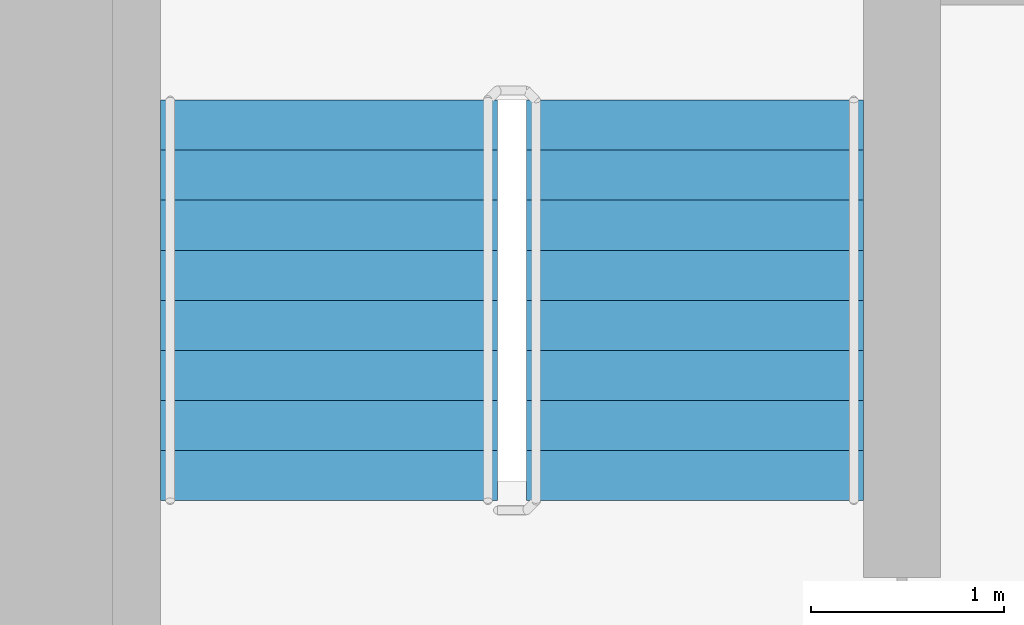
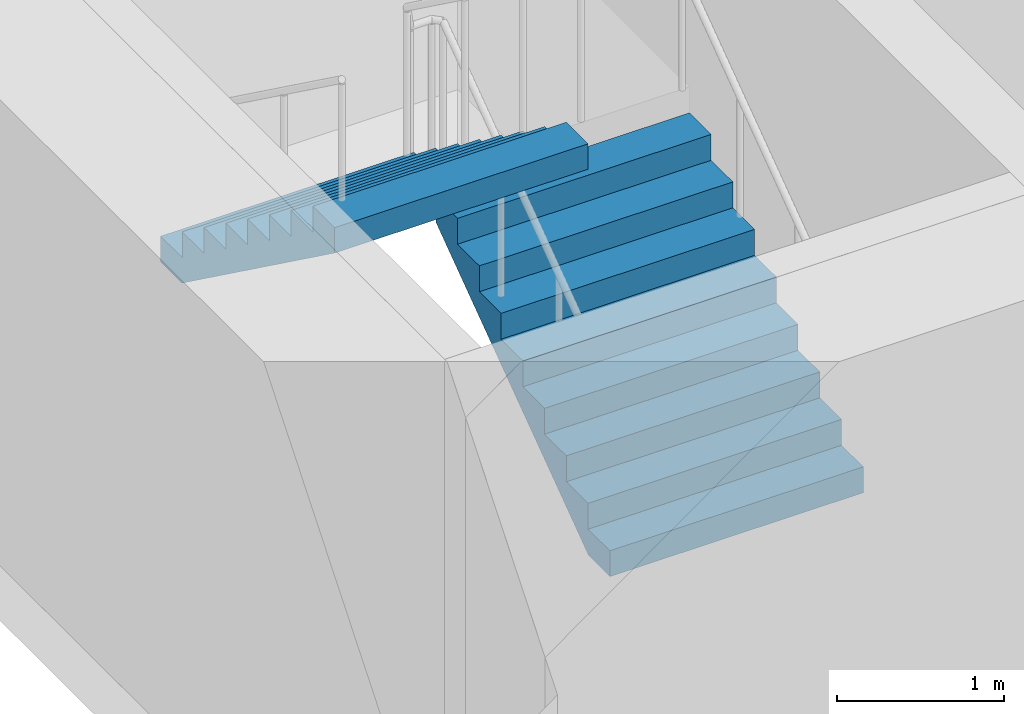
# One storey, part 17 of 21: 2 stair flights, 1 element without a shape of its own.
"""IFC4 building model written with IfcOpenShell, lengths in metres."""

import ifcopenshell
import ifcopenshell.guid

model = None  # the IFC model being written
_history = None  # IfcOwnerHistory: only IFC2X3 demands one
_inside = {}  # id of a spatial element -> (the spatial element, [elements in it])
_under = {}  # id of a project, library or spatial element -> (it, [spatial elements below it])
_declared = {}  # id of a project -> (the project, [libraries it declares])
_typed = {}  # id of a type object -> (the type object, [elements of that type])
_made_of = {}  # id of a material, layer set ... -> (it, [elements and type objects made of it])


def new_model(schema):
    """Start an empty IFC model of exactly this schema.

    Asked for "IFC4X3", IfcOpenShell would pick the latest addendum, in which some entities
    have other attributes; the version numbers below select the first issue.
    IFC2X3 requires an IfcOwnerHistory on every rooted entity: one is made here for all.
    """
    global model, _history
    if schema == "IFC4X3":
        model = ifcopenshell.file(schema_version=(4, 3, 0, 0))
    else:
        model = ifcopenshell.file(schema=schema)
    _inside.clear()
    _under.clear()
    _declared.clear()
    _typed.clear()
    _made_of.clear()
    _history = None
    if model.schema == "IFC2X3":
        org = make("IfcOrganization", Name="unknown")
        user = make(
            "IfcPersonAndOrganization",
            ThePerson=make("IfcPerson", FamilyName="unknown"),
            TheOrganization=org,
        )
        app = make(
            "IfcApplication",
            ApplicationDeveloper=org,
            Version="unknown",
            ApplicationFullName="unknown",
            ApplicationIdentifier="unknown",
        )
        _history = make(
            "IfcOwnerHistory",
            OwningUser=user,
            OwningApplication=app,
            ChangeAction="ADDED",
            CreationDate=0,
        )
    return model


def make(cls, **values):
    """One entity of the class cls with the attributes given. An attribute that is None is left unset."""
    return model.create_entity(
        cls, **{name: value for name, value in values.items() if value is not None}
    )


def rooted(cls, **values):
    """An entity with a GlobalId (a new one), such as an element, a storey or a relation."""
    return make(cls, GlobalId=ifcopenshell.guid.new(), OwnerHistory=_history, **values)


def si_unit(unit_type, name, prefix=None):
    """IfcSIUnit, for example si_unit("LENGTHUNIT", "METRE", prefix="MILLI")."""
    return make("IfcSIUnit", UnitType=unit_type, Prefix=prefix, Name=name)


def assignment(units):
    """IfcUnitAssignment: the units of a project."""
    return None if units is None else make("IfcUnitAssignment", Units=units)


def point(xyz):
    """IfcCartesianPoint."""
    return None if xyz is None else make("IfcCartesianPoint", Coordinates=xyz)


def direction(xyz):
    """IfcDirection."""
    return None if xyz is None else make("IfcDirection", DirectionRatios=xyz)


def frame(location, z_axis=None, x_axis=None):
    """IfcAxis2Placement3D, a coordinate frame: its origin and axes. An axis left out is left unset."""
    return make(
        "IfcAxis2Placement3D",
        Location=point(location),
        Axis=direction(z_axis),
        RefDirection=direction(x_axis),
    )


def origin():
    """The frame at (0, 0, 0) with its axes left unset."""
    return frame((0.0, 0.0, 0.0))


def place(relative_to, where):
    """IfcLocalPlacement: puts the frame where relative to a parent placement (None: the world)."""
    return make(
        "IfcLocalPlacement", PlacementRelTo=relative_to, RelativePlacement=where
    )


def context(
    kind, dimensions, precision=None, world=None, true_north=None, identifier=None
):
    """IfcGeometricRepresentationContext, for example the 3D "Model" context."""
    return make(
        "IfcGeometricRepresentationContext",
        ContextIdentifier=identifier,
        ContextType=kind,
        CoordinateSpaceDimension=dimensions,
        Precision=precision,
        WorldCoordinateSystem=world,
        TrueNorth=true_north,
    )


def subcontext(parent, identifier, kind, view, scale=None):
    """IfcGeometricRepresentationSubContext, for example "Body" below "Model"."""
    return make(
        "IfcGeometricRepresentationSubContext",
        ContextIdentifier=identifier,
        ContextType=kind,
        ParentContext=parent,
        TargetScale=scale,
        TargetView=view,
    )


def project(units=None, contexts=None):
    """IfcProject with its units and contexts."""
    return rooted(
        "IfcProject",
        Name="project",
        RepresentationContexts=contexts,
        UnitsInContext=assignment(units),
    )


def spatial(cls, under=None, at=None, **own):
    """A site, building, storey or space (cls), placed at a placement, below another one or the project."""
    s = rooted(cls, ObjectPlacement=at, **own)
    if under is not None:
        _under.setdefault(under.id(), (under, []))[1].append(s)
    return s


def faces_of(points, faces, orient=None, outer=None):
    """IfcFace entities. A face is a list of loops; a loop is a list of indices into points, from 0.

    orient and outer hold one flag for each loop. By default every Orientation is true, the
    first loop of a face is its IfcFaceOuterBound and the others are IfcFaceBound.
    """
    made = []
    for i, loops in enumerate(faces):
        bounds = []
        for j, loop in enumerate(loops):
            is_outer = j == 0 if outer is None else outer[i][j]
            bounds.append(
                make(
                    "IfcFaceOuterBound" if is_outer else "IfcFaceBound",
                    Bound=make("IfcPolyLoop", Polygon=[points[k] for k in loop]),
                    Orientation=True if orient is None else orient[i][j],
                )
            )
        made.append(make("IfcFace", Bounds=bounds))
    return made


def faceted_brep(points, faces, orient=None, outer=None, voids=None):
    """IfcFacetedBrep: a solid bounded by flat faces; with voids (closed shells), ...WithVoids."""
    shared = [point(p) for p in points]
    hull = make("IfcClosedShell", CfsFaces=faces_of(shared, faces, orient, outer))
    if voids is None:
        return make("IfcFacetedBrep", Outer=hull)
    return make(
        "IfcFacetedBrepWithVoids",
        Outer=hull,
        Voids=[
            make(cls, CfsFaces=faces_of(shared, fs, o, b)) for cls, fs, o, b in voids
        ],
    )


def shape(context_of_items, identifier, shape_type, items):
    """IfcShapeRepresentation: the items that make up one representation, for example the "Body"."""
    return make(
        "IfcShapeRepresentation",
        ContextOfItems=context_of_items,
        RepresentationIdentifier=identifier,
        RepresentationType=shape_type,
        Items=items,
    )


def material(Name=None, Category=None):
    """IfcMaterial."""
    return make("IfcMaterial", Name=Name, Category=Category)


def made_of(thing, what):
    """Note that an element or type object is made of a material, layer set ...; save() writes the relation."""
    if what is not None:
        _made_of.setdefault(what.id(), (what, []))[1].append(thing)
    return thing


def type_object(cls, material=None, **own):
    """A type object (cls), such as IfcWallType, which elements share."""
    return made_of(rooted(cls, **own), material)


def element(
    cls,
    number,
    at=None,
    inside=None,
    cuts=None,
    type_object=None,
    material=None,
    context=None,
    identifier="Body",
    shape_type=None,
    held_by="IfcProductDefinitionShape",
    body=None,
    shapes=None,
    **own,
):
    """One element of the class cls, such as IfcWall. Its Tag is "e" and its number.

    at: its placement. inside: the storey or other place that contains it. cuts: it is an
    opening in that element (IfcRelVoidsElement). A single representation is given by context,
    identifier, shape_type and body (its items); several are given by shapes. held_by: the class
    of the entity that holds the representations. save() writes the other relations.
    """
    e = rooted(cls, Tag="e%d" % number, ObjectPlacement=at, **own)
    if body is not None:
        shapes = [shape(context, identifier, shape_type, body)]
    if shapes is not None:
        e.Representation = make(held_by, Representations=shapes)
    if inside is not None:
        _inside.setdefault(inside.id(), (inside, []))[1].append(e)
    if cuts is not None:
        rooted(
            "IfcRelVoidsElement", RelatingBuildingElement=cuts, RelatedOpeningElement=e
        )
    if type_object is not None:
        _typed.setdefault(type_object.id(), (type_object, []))[1].append(e)
    return made_of(e, material)


def aggregate(whole, parts):
    """IfcRelAggregates: a whole, such as a stair, and the parts it consists of."""
    return rooted("IfcRelAggregates", RelatingObject=whole, RelatedObjects=parts)


def save(model, path):
    """Write the relations noted so far, then the file.

    IfcRelAggregates (storeys below a building ...), IfcRelContainedInSpatialStructure (elements
    in a storey), IfcRelDefinesByType, IfcRelAssociatesMaterial and IfcRelDeclares: one each for
    every whole, place, type object, material and project.
    """
    for whole, parts in _under.values():
        aggregate(whole, parts)
    for where, things in _inside.values():
        rooted(
            "IfcRelContainedInSpatialStructure",
            RelatedElements=things,
            RelatingStructure=where,
        )
    for kind, things in _typed.values():
        rooted("IfcRelDefinesByType", RelatedObjects=things, RelatingType=kind)
    for what, things in _made_of.values():
        rooted("IfcRelAssociatesMaterial", RelatedObjects=things, RelatingMaterial=what)
    for by, libraries in _declared.values():
        rooted("IfcRelDeclares", RelatingContext=by, RelatedDefinitions=libraries)
    model.write(path)


model = new_model("IFC4")

# Units and contexts
model_context = context("Model", 3, precision=1e-05, world=origin(), true_north=direction((0.0, 1.0)))
body_context = subcontext(model_context, "Body", "Model", "MODEL_VIEW")
ifc_project = project(units=[si_unit("LENGTHUNIT", "METRE"), si_unit("AREAUNIT", "SQUARE_METRE"), si_unit("VOLUMEUNIT", "CUBIC_METRE"), si_unit("PLANEANGLEUNIT", "RADIAN"), si_unit("MASSUNIT", "GRAM", prefix="KILO")], contexts=[model_context])

# Site, building, storey
site_placement = place(None, origin())
site = spatial("IfcSite", under=ifc_project, at=site_placement, CompositionType="ELEMENT")
building_placement = place(site_placement, origin())
building = spatial("IfcBuilding", under=site, at=building_placement, Name="Ipe Terrace Towers", CompositionType="ELEMENT")
storey_placement = place(building_placement, frame((0.0, 0.0, 83.39990234375)))
storey = spatial("IfcBuildingStorey", under=building, at=storey_placement, Name="L22", CompositionType="ELEMENT", Elevation=83.39990234375)

# Stair, stair flights
ifc_material_1 = material(Name="Concrete C30/37", Category="concrete")
stair_type = type_object("IfcStairType", Name="Protected exit stair", PredefinedType="HALF_TURN_STAIR", material=ifc_material_1)
stair_placement = place(storey_placement, origin())
stair = element("IfcStair", 1, at=stair_placement, inside=storey, type_object=stair_type, Name="L22 Exit stair T2-C1", PredefinedType="HALF_TURN_STAIR")
ifc_material_2 = material(Name="Concrete C30/37", Category="concrete")
stair_flight_type = type_object("IfcStairFlightType", Name="Exit stair flight 1750", PredefinedType="STRAIGHT", material=ifc_material_2)
stair_flight_1_placement = place(storey_placement, frame((33.22509765625, 9.699951171875, 0.0), z_axis=(0.0, 0.0, 1.0), x_axis=(0.0, 1.0, 0.0)))
stair_flight_1 = element("IfcStairFlight", 2, at=stair_flight_1_placement, type_object=stair_flight_type, Name="T2-ST1 flight 1", NumberOfRisers=9, NumberOfTreads=8, PredefinedType="STRAIGHT", RiserHeight=0.188888889, TreadLength=0.26, context=body_context, shape_type="Brep", body=[
    faceted_brep([(0.255126953125, -0.875, 0.0), (2.080078125, -0.875, 1.325927734375), (2.080078125, -0.875, 1.51123046875), (1.820068359375, -0.875, 1.51123046875), (1.820068359375, -0.875, 1.322265625), (1.56005859375, -0.875, 1.322265625), (1.56005859375, -0.875, 1.13330078125), (1.300048828125, -0.875, 1.13330078125), (1.300048828125, -0.875, 0.9443359375), (1.0400390625, -0.875, 0.9443359375), (1.0400390625, -0.875, 0.755615234375), (0.780029296875, -0.875, 0.755615234375), (0.780029296875, -0.875, 0.566650390625), (0.52001953125, -0.875, 0.566650390625), (0.52001953125, -0.875, 0.377685546875), (0.260009765625, -0.875, 0.377685546875), (0.260009765625, -0.875, 0.18896484375), (0.0, -0.875, 0.18896484375), (0.0, -0.875, 0.0), (0.0, 0.875, 0.0), (0.0, 0.875, 0.18896484375), (0.260009765625, 0.875, 0.18896484375), (0.260009765625, 0.875, 0.377685546875), (0.52001953125, 0.875, 0.377685546875), (0.52001953125, 0.875, 0.566650390625), (0.780029296875, 0.875, 0.566650390625), (0.780029296875, 0.875, 0.755615234375), (1.0400390625, 0.875, 0.755615234375), (1.0400390625, 0.875, 0.9443359375), (1.300048828125, 0.875, 0.9443359375), (1.300048828125, 0.875, 1.13330078125), (1.56005859375, 0.875, 1.13330078125), (1.56005859375, 0.875, 1.322265625), (1.820068359375, 0.875, 1.322265625), (1.820068359375, 0.875, 1.51123046875), (2.080078125, 0.875, 1.51123046875), (2.080078125, 0.875, 1.325927734375), (0.255126953125, 0.875, 0.0), (0.0, -0.300048828125, 0.18896484375), (0.0, -0.1201171875, 0.18896484375), (0.0, -0.06005859375, 0.18896484375), (0.0, -0.030029296875, 0.18896484375), (0.0, -0.010009765625, 0.18896484375), (0.0, 0.0, 0.18896484375), (0.0, 0.010009765625, 0.18896484375), (0.0, 0.030029296875, 0.18896484375), (0.0, 0.06005859375, 0.18896484375), (0.0, 0.1201171875, 0.18896484375), (0.0, 0.300048828125, 0.18896484375), (0.0, 0.300048828125, 0.0), (0.0, 0.1201171875, 0.0), (0.0, 0.06005859375, 0.0), (0.0, 0.030029296875, 0.0), (0.0, 0.010009765625, 0.0), (0.0, 0.0, 0.0), (0.0, -0.010009765625, 0.0), (0.0, -0.030029296875, 0.0), (0.0, -0.06005859375, 0.0), (0.0, -0.1201171875, 0.0), (0.0, -0.300048828125, 0.0), (0.260009765625, -0.300048828125, 0.18896484375), (0.260009765625, -0.1201171875, 0.18896484375), (0.260009765625, -0.06005859375, 0.18896484375), (0.260009765625, -0.030029296875, 0.18896484375), (0.260009765625, -0.010009765625, 0.18896484375), (0.260009765625, 0.0, 0.18896484375), (0.260009765625, 0.010009765625, 0.18896484375), (0.260009765625, 0.030029296875, 0.18896484375), (0.260009765625, 0.06005859375, 0.18896484375), (0.260009765625, 0.1201171875, 0.18896484375), (0.260009765625, 0.300048828125, 0.18896484375), (0.260009765625, -0.300048828125, 0.377685546875), (0.260009765625, -0.1201171875, 0.377685546875), (0.260009765625, -0.06005859375, 0.377685546875), (0.260009765625, -0.030029296875, 0.377685546875), (0.260009765625, -0.010009765625, 0.377685546875), (0.260009765625, 0.0, 0.377685546875), (0.260009765625, 0.010009765625, 0.377685546875), (0.260009765625, 0.030029296875, 0.377685546875), (0.260009765625, 0.06005859375, 0.377685546875), (0.260009765625, 0.1201171875, 0.377685546875), (0.260009765625, 0.300048828125, 0.377685546875), (0.52001953125, -0.300048828125, 0.377685546875), (0.52001953125, -0.1201171875, 0.377685546875), (0.52001953125, -0.06005859375, 0.377685546875), (0.52001953125, -0.030029296875, 0.377685546875), (0.52001953125, -0.010009765625, 0.377685546875), (0.52001953125, 0.0, 0.377685546875), (0.52001953125, 0.010009765625, 0.377685546875), (0.52001953125, 0.030029296875, 0.377685546875), (0.52001953125, 0.06005859375, 0.377685546875), (0.52001953125, 0.1201171875, 0.377685546875), (0.52001953125, 0.300048828125, 0.377685546875), (0.52001953125, -0.300048828125, 0.566650390625), (0.52001953125, -0.1201171875, 0.566650390625), (0.52001953125, -0.06005859375, 0.566650390625), (0.52001953125, -0.030029296875, 0.566650390625), (0.52001953125, -0.010009765625, 0.566650390625), (0.52001953125, 0.0, 0.566650390625), (0.52001953125, 0.010009765625, 0.566650390625), (0.52001953125, 0.030029296875, 0.566650390625), (0.52001953125, 0.06005859375, 0.566650390625), (0.52001953125, 0.1201171875, 0.566650390625), (0.52001953125, 0.300048828125, 0.566650390625), (0.780029296875, -0.300048828125, 0.566650390625), (0.780029296875, -0.1201171875, 0.566650390625), (0.780029296875, -0.06005859375, 0.566650390625), (0.780029296875, -0.030029296875, 0.566650390625), (0.780029296875, -0.010009765625, 0.566650390625), (0.780029296875, 0.0, 0.566650390625), (0.780029296875, 0.010009765625, 0.566650390625), (0.780029296875, 0.030029296875, 0.566650390625), (0.780029296875, 0.06005859375, 0.566650390625), (0.780029296875, 0.1201171875, 0.566650390625), (0.780029296875, 0.300048828125, 0.566650390625), (0.780029296875, -0.300048828125, 0.755615234375), (0.780029296875, -0.1201171875, 0.755615234375), (0.780029296875, -0.06005859375, 0.755615234375), (0.780029296875, -0.030029296875, 0.755615234375), (0.780029296875, -0.010009765625, 0.755615234375), (0.780029296875, 0.0, 0.755615234375), (0.780029296875, 0.010009765625, 0.755615234375), (0.780029296875, 0.030029296875, 0.755615234375), (0.780029296875, 0.06005859375, 0.755615234375), (0.780029296875, 0.1201171875, 0.755615234375), (0.780029296875, 0.300048828125, 0.755615234375), (1.0400390625, -0.300048828125, 0.755615234375), (1.0400390625, -0.1201171875, 0.755615234375), (1.0400390625, -0.06005859375, 0.755615234375), (1.0400390625, -0.030029296875, 0.755615234375), (1.0400390625, -0.010009765625, 0.755615234375), (1.0400390625, 0.0, 0.755615234375), (1.0400390625, 0.010009765625, 0.755615234375), (1.0400390625, 0.030029296875, 0.755615234375), (1.0400390625, 0.06005859375, 0.755615234375), (1.0400390625, 0.1201171875, 0.755615234375), (1.0400390625, 0.300048828125, 0.755615234375), (1.0400390625, -0.300048828125, 0.9443359375), (1.0400390625, -0.1201171875, 0.9443359375), (1.0400390625, -0.06005859375, 0.9443359375), (1.0400390625, -0.030029296875, 0.9443359375), (1.0400390625, -0.010009765625, 0.9443359375), (1.0400390625, 0.0, 0.9443359375), (1.0400390625, 0.010009765625, 0.9443359375), (1.0400390625, 0.030029296875, 0.9443359375), (1.0400390625, 0.06005859375, 0.9443359375), (1.0400390625, 0.1201171875, 0.9443359375), (1.0400390625, 0.300048828125, 0.9443359375), (1.300048828125, -0.300048828125, 0.9443359375), (1.300048828125, -0.1201171875, 0.9443359375), (1.300048828125, -0.06005859375, 0.9443359375), (1.300048828125, -0.030029296875, 0.9443359375), (1.300048828125, -0.010009765625, 0.9443359375), (1.300048828125, 0.0, 0.9443359375), (1.300048828125, 0.010009765625, 0.9443359375), (1.300048828125, 0.030029296875, 0.9443359375), (1.300048828125, 0.06005859375, 0.9443359375), (1.300048828125, 0.1201171875, 0.9443359375), (1.300048828125, 0.300048828125, 0.9443359375), (1.300048828125, -0.300048828125, 1.13330078125), (1.300048828125, -0.1201171875, 1.13330078125), (1.300048828125, -0.06005859375, 1.13330078125), (1.300048828125, -0.030029296875, 1.13330078125), (1.300048828125, -0.010009765625, 1.13330078125), (1.300048828125, 0.0, 1.13330078125), (1.300048828125, 0.010009765625, 1.13330078125), (1.300048828125, 0.030029296875, 1.13330078125), (1.300048828125, 0.06005859375, 1.13330078125), (1.300048828125, 0.1201171875, 1.13330078125), (1.300048828125, 0.300048828125, 1.13330078125), (1.56005859375, -0.300048828125, 1.13330078125), (1.56005859375, -0.1201171875, 1.13330078125), (1.56005859375, -0.06005859375, 1.13330078125), (1.56005859375, -0.030029296875, 1.13330078125), (1.56005859375, -0.010009765625, 1.13330078125), (1.56005859375, 0.0, 1.13330078125), (1.56005859375, 0.010009765625, 1.13330078125), (1.56005859375, 0.030029296875, 1.13330078125), (1.56005859375, 0.06005859375, 1.13330078125), (1.56005859375, 0.1201171875, 1.13330078125), (1.56005859375, 0.300048828125, 1.13330078125), (1.56005859375, -0.300048828125, 1.322265625), (1.56005859375, -0.1201171875, 1.322265625), (1.56005859375, -0.06005859375, 1.322265625), (1.56005859375, -0.030029296875, 1.322265625), (1.56005859375, -0.010009765625, 1.322265625), (1.56005859375, 0.0, 1.322265625), (1.56005859375, 0.010009765625, 1.322265625), (1.56005859375, 0.030029296875, 1.322265625), (1.56005859375, 0.06005859375, 1.322265625), (1.56005859375, 0.1201171875, 1.322265625), (1.56005859375, 0.300048828125, 1.322265625), (1.820068359375, -0.300048828125, 1.322265625), (1.820068359375, -0.1201171875, 1.322265625), (1.820068359375, -0.06005859375, 1.322265625), (1.820068359375, -0.030029296875, 1.322265625), (1.820068359375, -0.010009765625, 1.322265625), (1.820068359375, 0.0, 1.322265625), (1.820068359375, 0.010009765625, 1.322265625), (1.820068359375, 0.030029296875, 1.322265625), (1.820068359375, 0.06005859375, 1.322265625), (1.820068359375, 0.1201171875, 1.322265625), (1.820068359375, 0.300048828125, 1.322265625), (1.820068359375, -0.300048828125, 1.51123046875), (1.820068359375, -0.1201171875, 1.51123046875), (1.820068359375, -0.06005859375, 1.51123046875), (1.820068359375, -0.030029296875, 1.51123046875), (1.820068359375, -0.010009765625, 1.51123046875), (1.820068359375, 0.0, 1.51123046875), (1.820068359375, 0.010009765625, 1.51123046875), (1.820068359375, 0.030029296875, 1.51123046875), (1.820068359375, 0.06005859375, 1.51123046875), (1.820068359375, 0.1201171875, 1.51123046875), (1.820068359375, 0.300048828125, 1.51123046875), (2.080078125, -0.300048828125, 1.51123046875), (2.080078125, -0.1201171875, 1.51123046875), (2.080078125, -0.06005859375, 1.51123046875), (2.080078125, -0.030029296875, 1.51123046875), (2.080078125, -0.010009765625, 1.51123046875), (2.080078125, 0.0, 1.51123046875), (2.080078125, 0.010009765625, 1.51123046875), (2.080078125, 0.030029296875, 1.51123046875), (2.080078125, 0.06005859375, 1.51123046875), (2.080078125, 0.1201171875, 1.51123046875), (2.080078125, 0.300048828125, 1.51123046875), (2.080078125, -0.300048828125, 1.325927734375), (2.080078125, -0.1201171875, 1.325927734375), (2.080078125, -0.06005859375, 1.325927734375), (2.080078125, -0.030029296875, 1.325927734375), (2.080078125, -0.010009765625, 1.325927734375), (2.080078125, 0.0, 1.325927734375), (2.080078125, 0.010009765625, 1.325927734375), (2.080078125, 0.030029296875, 1.325927734375), (2.080078125, 0.06005859375, 1.325927734375), (2.080078125, 0.1201171875, 1.325927734375), (2.080078125, 0.300048828125, 1.325927734375), (0.255126953125, -0.300048828125, 0.0), (0.255126953125, -0.1201171875, 0.0), (0.255126953125, -0.06005859375, 0.0), (0.255126953125, -0.030029296875, 0.0), (0.255126953125, -0.010009765625, 0.0), (0.255126953125, 0.0, 0.0), (0.255126953125, 0.010009765625, 0.0), (0.255126953125, 0.030029296875, 0.0), (0.255126953125, 0.06005859375, 0.0), (0.255126953125, 0.1201171875, 0.0), (0.255126953125, 0.300048828125, 0.0)], [[[0, 1, 2, 3, 4, 5, 6, 7, 8, 9, 10, 11, 12, 13, 14, 15, 16, 17, 18]], [[19, 20, 21, 22, 23, 24, 25, 26, 27, 28, 29, 30, 31, 32, 33, 34, 35, 36, 37]], [[17, 38, 39, 40, 41, 42, 43, 44, 45, 46, 47, 48, 20, 19, 49, 50, 51, 52, 53, 54, 55, 56, 57, 58, 59, 18]], [[16, 60, 61, 62, 63, 64, 65, 66, 67, 68, 69, 70, 21, 20, 48, 47, 46, 45, 44, 43, 42, 41, 40, 39, 38, 17]], [[15, 71, 72, 73, 74, 75, 76, 77, 78, 79, 80, 81, 22, 21, 70, 69, 68, 67, 66, 65, 64, 63, 62, 61, 60, 16]], [[14, 82, 83, 84, 85, 86, 87, 88, 89, 90, 91, 92, 23, 22, 81, 80, 79, 78, 77, 76, 75, 74, 73, 72, 71, 15]], [[13, 93, 94, 95, 96, 97, 98, 99, 100, 101, 102, 103, 24, 23, 92, 91, 90, 89, 88, 87, 86, 85, 84, 83, 82, 14]], [[12, 104, 105, 106, 107, 108, 109, 110, 111, 112, 113, 114, 25, 24, 103, 102, 101, 100, 99, 98, 97, 96, 95, 94, 93, 13]], [[11, 115, 116, 117, 118, 119, 120, 121, 122, 123, 124, 125, 26, 25, 114, 113, 112, 111, 110, 109, 108, 107, 106, 105, 104, 12]], [[10, 126, 127, 128, 129, 130, 131, 132, 133, 134, 135, 136, 27, 26, 125, 124, 123, 122, 121, 120, 119, 118, 117, 116, 115, 11]], [[9, 137, 138, 139, 140, 141, 142, 143, 144, 145, 146, 147, 28, 27, 136, 135, 134, 133, 132, 131, 130, 129, 128, 127, 126, 10]], [[8, 148, 149, 150, 151, 152, 153, 154, 155, 156, 157, 158, 29, 28, 147, 146, 145, 144, 143, 142, 141, 140, 139, 138, 137, 9]], [[7, 159, 160, 161, 162, 163, 164, 165, 166, 167, 168, 169, 30, 29, 158, 157, 156, 155, 154, 153, 152, 151, 150, 149, 148, 8]], [[6, 170, 171, 172, 173, 174, 175, 176, 177, 178, 179, 180, 31, 30, 169, 168, 167, 166, 165, 164, 163, 162, 161, 160, 159, 7]], [[5, 181, 182, 183, 184, 185, 186, 187, 188, 189, 190, 191, 32, 31, 180, 179, 178, 177, 176, 175, 174, 173, 172, 171, 170, 6]], [[4, 192, 193, 194, 195, 196, 197, 198, 199, 200, 201, 202, 33, 32, 191, 190, 189, 188, 187, 186, 185, 184, 183, 182, 181, 5]], [[3, 203, 204, 205, 206, 207, 208, 209, 210, 211, 212, 213, 34, 33, 202, 201, 200, 199, 198, 197, 196, 195, 194, 193, 192, 4]], [[2, 214, 215, 216, 217, 218, 219, 220, 221, 222, 223, 224, 35, 34, 213, 212, 211, 210, 209, 208, 207, 206, 205, 204, 203, 3]], [[1, 225, 226, 227, 228, 229, 230, 231, 232, 233, 234, 235, 36, 35, 224, 223, 222, 221, 220, 219, 218, 217, 216, 215, 214, 2]], [[0, 236, 237, 238, 239, 240, 241, 242, 243, 244, 245, 246, 37, 36, 235, 234, 233, 232, 231, 230, 229, 228, 227, 226, 225, 1]], [[18, 59, 58, 57, 56, 55, 54, 53, 52, 51, 50, 49, 19, 37, 246, 245, 244, 243, 242, 241, 240, 239, 238, 237, 236, 0]]]),
])
stair_flight_2_placement = place(storey_placement, frame((31.324951171875, 11.780029296875, 1.7001953125), z_axis=(0.0, 0.0, 1.0), x_axis=(0.0, -1.0, 0.0)))
stair_flight_2 = element("IfcStairFlight", 3, at=stair_flight_2_placement, type_object=stair_flight_type, Name="T2-ST1 flight 2", NumberOfRisers=9, NumberOfTreads=8, PredefinedType="STRAIGHT", RiserHeight=0.188888889, TreadLength=0.26, context=body_context, shape_type="Brep", body=[
    faceted_brep([(0.255126953125, -0.875, 0.0), (2.080078125, -0.875, 1.325927734375), (2.080078125, -0.875, 1.51123046875), (1.820068359375, -0.875, 1.51123046875), (1.820068359375, -0.875, 1.322265625), (1.56005859375, -0.875, 1.322265625), (1.56005859375, -0.875, 1.13330078125), (1.300048828125, -0.875, 1.13330078125), (1.300048828125, -0.875, 0.9443359375), (1.0400390625, -0.875, 0.9443359375), (1.0400390625, -0.875, 0.755615234375), (0.780029296875, -0.875, 0.755615234375), (0.780029296875, -0.875, 0.566650390625), (0.52001953125, -0.875, 0.566650390625), (0.52001953125, -0.875, 0.377685546875), (0.260009765625, -0.875, 0.377685546875), (0.260009765625, -0.875, 0.18896484375), (0.0, -0.875, 0.18896484375), (0.0, -0.875, 0.0), (0.0, 0.875, 0.0), (0.0, 0.875, 0.18896484375), (0.260009765625, 0.875, 0.18896484375), (0.260009765625, 0.875, 0.377685546875), (0.52001953125, 0.875, 0.377685546875), (0.52001953125, 0.875, 0.566650390625), (0.780029296875, 0.875, 0.566650390625), (0.780029296875, 0.875, 0.755615234375), (1.0400390625, 0.875, 0.755615234375), (1.0400390625, 0.875, 0.9443359375), (1.300048828125, 0.875, 0.9443359375), (1.300048828125, 0.875, 1.13330078125), (1.56005859375, 0.875, 1.13330078125), (1.56005859375, 0.875, 1.322265625), (1.820068359375, 0.875, 1.322265625), (1.820068359375, 0.875, 1.51123046875), (2.080078125, 0.875, 1.51123046875), (2.080078125, 0.875, 1.325927734375), (0.255126953125, 0.875, 0.0), (0.0, -0.300048828125, 0.18896484375), (0.0, -0.1201171875, 0.18896484375), (0.0, -0.06005859375, 0.18896484375), (0.0, -0.030029296875, 0.18896484375), (0.0, -0.010009765625, 0.18896484375), (0.0, 0.0, 0.18896484375), (0.0, 0.010009765625, 0.18896484375), (0.0, 0.030029296875, 0.18896484375), (0.0, 0.06005859375, 0.18896484375), (0.0, 0.1201171875, 0.18896484375), (0.0, 0.300048828125, 0.18896484375), (0.0, 0.300048828125, 0.0), (0.0, 0.1201171875, 0.0), (0.0, 0.06005859375, 0.0), (0.0, 0.030029296875, 0.0), (0.0, 0.010009765625, 0.0), (0.0, 0.0, 0.0), (0.0, -0.010009765625, 0.0), (0.0, -0.030029296875, 0.0), (0.0, -0.06005859375, 0.0), (0.0, -0.1201171875, 0.0), (0.0, -0.300048828125, 0.0), (0.260009765625, -0.300048828125, 0.18896484375), (0.260009765625, -0.1201171875, 0.18896484375), (0.260009765625, -0.06005859375, 0.18896484375), (0.260009765625, -0.030029296875, 0.18896484375), (0.260009765625, -0.010009765625, 0.18896484375), (0.260009765625, 0.0, 0.18896484375), (0.260009765625, 0.010009765625, 0.18896484375), (0.260009765625, 0.030029296875, 0.18896484375), (0.260009765625, 0.06005859375, 0.18896484375), (0.260009765625, 0.1201171875, 0.18896484375), (0.260009765625, 0.300048828125, 0.18896484375), (0.260009765625, -0.300048828125, 0.377685546875), (0.260009765625, -0.1201171875, 0.377685546875), (0.260009765625, -0.06005859375, 0.377685546875), (0.260009765625, -0.030029296875, 0.377685546875), (0.260009765625, -0.010009765625, 0.377685546875), (0.260009765625, 0.0, 0.377685546875), (0.260009765625, 0.010009765625, 0.377685546875), (0.260009765625, 0.030029296875, 0.377685546875), (0.260009765625, 0.06005859375, 0.377685546875), (0.260009765625, 0.1201171875, 0.377685546875), (0.260009765625, 0.300048828125, 0.377685546875), (0.52001953125, -0.300048828125, 0.377685546875), (0.52001953125, -0.1201171875, 0.377685546875), (0.52001953125, -0.06005859375, 0.377685546875), (0.52001953125, -0.030029296875, 0.377685546875), (0.52001953125, -0.010009765625, 0.377685546875), (0.52001953125, 0.0, 0.377685546875), (0.52001953125, 0.010009765625, 0.377685546875), (0.52001953125, 0.030029296875, 0.377685546875), (0.52001953125, 0.06005859375, 0.377685546875), (0.52001953125, 0.1201171875, 0.377685546875), (0.52001953125, 0.300048828125, 0.377685546875), (0.52001953125, -0.300048828125, 0.566650390625), (0.52001953125, -0.1201171875, 0.566650390625), (0.52001953125, -0.06005859375, 0.566650390625), (0.52001953125, -0.030029296875, 0.566650390625), (0.52001953125, -0.010009765625, 0.566650390625), (0.52001953125, 0.0, 0.566650390625), (0.52001953125, 0.010009765625, 0.566650390625), (0.52001953125, 0.030029296875, 0.566650390625), (0.52001953125, 0.06005859375, 0.566650390625), (0.52001953125, 0.1201171875, 0.566650390625), (0.52001953125, 0.300048828125, 0.566650390625), (0.780029296875, -0.300048828125, 0.566650390625), (0.780029296875, -0.1201171875, 0.566650390625), (0.780029296875, -0.06005859375, 0.566650390625), (0.780029296875, -0.030029296875, 0.566650390625), (0.780029296875, -0.010009765625, 0.566650390625), (0.780029296875, 0.0, 0.566650390625), (0.780029296875, 0.010009765625, 0.566650390625), (0.780029296875, 0.030029296875, 0.566650390625), (0.780029296875, 0.06005859375, 0.566650390625), (0.780029296875, 0.1201171875, 0.566650390625), (0.780029296875, 0.300048828125, 0.566650390625), (0.780029296875, -0.300048828125, 0.755615234375), (0.780029296875, -0.1201171875, 0.755615234375), (0.780029296875, -0.06005859375, 0.755615234375), (0.780029296875, -0.030029296875, 0.755615234375), (0.780029296875, -0.010009765625, 0.755615234375), (0.780029296875, 0.0, 0.755615234375), (0.780029296875, 0.010009765625, 0.755615234375), (0.780029296875, 0.030029296875, 0.755615234375), (0.780029296875, 0.06005859375, 0.755615234375), (0.780029296875, 0.1201171875, 0.755615234375), (0.780029296875, 0.300048828125, 0.755615234375), (1.0400390625, -0.300048828125, 0.755615234375), (1.0400390625, -0.1201171875, 0.755615234375), (1.0400390625, -0.06005859375, 0.755615234375), (1.0400390625, -0.030029296875, 0.755615234375), (1.0400390625, -0.010009765625, 0.755615234375), (1.0400390625, 0.0, 0.755615234375), (1.0400390625, 0.010009765625, 0.755615234375), (1.0400390625, 0.030029296875, 0.755615234375), (1.0400390625, 0.06005859375, 0.755615234375), (1.0400390625, 0.1201171875, 0.755615234375), (1.0400390625, 0.300048828125, 0.755615234375), (1.0400390625, -0.300048828125, 0.9443359375), (1.0400390625, -0.1201171875, 0.9443359375), (1.0400390625, -0.06005859375, 0.9443359375), (1.0400390625, -0.030029296875, 0.9443359375), (1.0400390625, -0.010009765625, 0.9443359375), (1.0400390625, 0.0, 0.9443359375), (1.0400390625, 0.010009765625, 0.9443359375), (1.0400390625, 0.030029296875, 0.9443359375), (1.0400390625, 0.06005859375, 0.9443359375), (1.0400390625, 0.1201171875, 0.9443359375), (1.0400390625, 0.300048828125, 0.9443359375), (1.300048828125, -0.300048828125, 0.9443359375), (1.300048828125, -0.1201171875, 0.9443359375), (1.300048828125, -0.06005859375, 0.9443359375), (1.300048828125, -0.030029296875, 0.9443359375), (1.300048828125, -0.010009765625, 0.9443359375), (1.300048828125, 0.0, 0.9443359375), (1.300048828125, 0.010009765625, 0.9443359375), (1.300048828125, 0.030029296875, 0.9443359375), (1.300048828125, 0.06005859375, 0.9443359375), (1.300048828125, 0.1201171875, 0.9443359375), (1.300048828125, 0.300048828125, 0.9443359375), (1.300048828125, -0.300048828125, 1.13330078125), (1.300048828125, -0.1201171875, 1.13330078125), (1.300048828125, -0.06005859375, 1.13330078125), (1.300048828125, -0.030029296875, 1.13330078125), (1.300048828125, -0.010009765625, 1.13330078125), (1.300048828125, 0.0, 1.13330078125), (1.300048828125, 0.010009765625, 1.13330078125), (1.300048828125, 0.030029296875, 1.13330078125), (1.300048828125, 0.06005859375, 1.13330078125), (1.300048828125, 0.1201171875, 1.13330078125), (1.300048828125, 0.300048828125, 1.13330078125), (1.56005859375, -0.300048828125, 1.13330078125), (1.56005859375, -0.1201171875, 1.13330078125), (1.56005859375, -0.06005859375, 1.13330078125), (1.56005859375, -0.030029296875, 1.13330078125), (1.56005859375, -0.010009765625, 1.13330078125), (1.56005859375, 0.0, 1.13330078125), (1.56005859375, 0.010009765625, 1.13330078125), (1.56005859375, 0.030029296875, 1.13330078125), (1.56005859375, 0.06005859375, 1.13330078125), (1.56005859375, 0.1201171875, 1.13330078125), (1.56005859375, 0.300048828125, 1.13330078125), (1.56005859375, -0.300048828125, 1.322265625), (1.56005859375, -0.1201171875, 1.322265625), (1.56005859375, -0.06005859375, 1.322265625), (1.56005859375, -0.030029296875, 1.322265625), (1.56005859375, -0.010009765625, 1.322265625), (1.56005859375, 0.0, 1.322265625), (1.56005859375, 0.010009765625, 1.322265625), (1.56005859375, 0.030029296875, 1.322265625), (1.56005859375, 0.06005859375, 1.322265625), (1.56005859375, 0.1201171875, 1.322265625), (1.56005859375, 0.300048828125, 1.322265625), (1.820068359375, -0.300048828125, 1.322265625), (1.820068359375, -0.1201171875, 1.322265625), (1.820068359375, -0.06005859375, 1.322265625), (1.820068359375, -0.030029296875, 1.322265625), (1.820068359375, -0.010009765625, 1.322265625), (1.820068359375, 0.0, 1.322265625), (1.820068359375, 0.010009765625, 1.322265625), (1.820068359375, 0.030029296875, 1.322265625), (1.820068359375, 0.06005859375, 1.322265625), (1.820068359375, 0.1201171875, 1.322265625), (1.820068359375, 0.300048828125, 1.322265625), (1.820068359375, -0.300048828125, 1.51123046875), (1.820068359375, -0.1201171875, 1.51123046875), (1.820068359375, -0.06005859375, 1.51123046875), (1.820068359375, -0.030029296875, 1.51123046875), (1.820068359375, -0.010009765625, 1.51123046875), (1.820068359375, 0.0, 1.51123046875), (1.820068359375, 0.010009765625, 1.51123046875), (1.820068359375, 0.030029296875, 1.51123046875), (1.820068359375, 0.06005859375, 1.51123046875), (1.820068359375, 0.1201171875, 1.51123046875), (1.820068359375, 0.300048828125, 1.51123046875), (2.080078125, -0.300048828125, 1.51123046875), (2.080078125, -0.1201171875, 1.51123046875), (2.080078125, -0.06005859375, 1.51123046875), (2.080078125, -0.030029296875, 1.51123046875), (2.080078125, -0.010009765625, 1.51123046875), (2.080078125, 0.0, 1.51123046875), (2.080078125, 0.010009765625, 1.51123046875), (2.080078125, 0.030029296875, 1.51123046875), (2.080078125, 0.06005859375, 1.51123046875), (2.080078125, 0.1201171875, 1.51123046875), (2.080078125, 0.300048828125, 1.51123046875), (2.080078125, -0.300048828125, 1.325927734375), (2.080078125, -0.1201171875, 1.325927734375), (2.080078125, -0.06005859375, 1.325927734375), (2.080078125, -0.030029296875, 1.325927734375), (2.080078125, -0.010009765625, 1.325927734375), (2.080078125, 0.0, 1.325927734375), (2.080078125, 0.010009765625, 1.325927734375), (2.080078125, 0.030029296875, 1.325927734375), (2.080078125, 0.06005859375, 1.325927734375), (2.080078125, 0.1201171875, 1.325927734375), (2.080078125, 0.300048828125, 1.325927734375), (0.255126953125, -0.300048828125, 0.0), (0.255126953125, -0.1201171875, 0.0), (0.255126953125, -0.06005859375, 0.0), (0.255126953125, -0.030029296875, 0.0), (0.255126953125, -0.010009765625, 0.0), (0.255126953125, 0.0, 0.0), (0.255126953125, 0.010009765625, 0.0), (0.255126953125, 0.030029296875, 0.0), (0.255126953125, 0.06005859375, 0.0), (0.255126953125, 0.1201171875, 0.0), (0.255126953125, 0.300048828125, 0.0)], [[[0, 1, 2, 3, 4, 5, 6, 7, 8, 9, 10, 11, 12, 13, 14, 15, 16, 17, 18]], [[19, 20, 21, 22, 23, 24, 25, 26, 27, 28, 29, 30, 31, 32, 33, 34, 35, 36, 37]], [[17, 38, 39, 40, 41, 42, 43, 44, 45, 46, 47, 48, 20, 19, 49, 50, 51, 52, 53, 54, 55, 56, 57, 58, 59, 18]], [[16, 60, 61, 62, 63, 64, 65, 66, 67, 68, 69, 70, 21, 20, 48, 47, 46, 45, 44, 43, 42, 41, 40, 39, 38, 17]], [[15, 71, 72, 73, 74, 75, 76, 77, 78, 79, 80, 81, 22, 21, 70, 69, 68, 67, 66, 65, 64, 63, 62, 61, 60, 16]], [[14, 82, 83, 84, 85, 86, 87, 88, 89, 90, 91, 92, 23, 22, 81, 80, 79, 78, 77, 76, 75, 74, 73, 72, 71, 15]], [[13, 93, 94, 95, 96, 97, 98, 99, 100, 101, 102, 103, 24, 23, 92, 91, 90, 89, 88, 87, 86, 85, 84, 83, 82, 14]], [[12, 104, 105, 106, 107, 108, 109, 110, 111, 112, 113, 114, 25, 24, 103, 102, 101, 100, 99, 98, 97, 96, 95, 94, 93, 13]], [[11, 115, 116, 117, 118, 119, 120, 121, 122, 123, 124, 125, 26, 25, 114, 113, 112, 111, 110, 109, 108, 107, 106, 105, 104, 12]], [[10, 126, 127, 128, 129, 130, 131, 132, 133, 134, 135, 136, 27, 26, 125, 124, 123, 122, 121, 120, 119, 118, 117, 116, 115, 11]], [[9, 137, 138, 139, 140, 141, 142, 143, 144, 145, 146, 147, 28, 27, 136, 135, 134, 133, 132, 131, 130, 129, 128, 127, 126, 10]], [[8, 148, 149, 150, 151, 152, 153, 154, 155, 156, 157, 158, 29, 28, 147, 146, 145, 144, 143, 142, 141, 140, 139, 138, 137, 9]], [[7, 159, 160, 161, 162, 163, 164, 165, 166, 167, 168, 169, 30, 29, 158, 157, 156, 155, 154, 153, 152, 151, 150, 149, 148, 8]], [[6, 170, 171, 172, 173, 174, 175, 176, 177, 178, 179, 180, 31, 30, 169, 168, 167, 166, 165, 164, 163, 162, 161, 160, 159, 7]], [[5, 181, 182, 183, 184, 185, 186, 187, 188, 189, 190, 191, 32, 31, 180, 179, 178, 177, 176, 175, 174, 173, 172, 171, 170, 6]], [[4, 192, 193, 194, 195, 196, 197, 198, 199, 200, 201, 202, 33, 32, 191, 190, 189, 188, 187, 186, 185, 184, 183, 182, 181, 5]], [[3, 203, 204, 205, 206, 207, 208, 209, 210, 211, 212, 213, 34, 33, 202, 201, 200, 199, 198, 197, 196, 195, 194, 193, 192, 4]], [[2, 214, 215, 216, 217, 218, 219, 220, 221, 222, 223, 224, 35, 34, 213, 212, 211, 210, 209, 208, 207, 206, 205, 204, 203, 3]], [[1, 225, 226, 227, 228, 229, 230, 231, 232, 233, 234, 235, 36, 35, 224, 223, 222, 221, 220, 219, 218, 217, 216, 215, 214, 2]], [[0, 236, 237, 238, 239, 240, 241, 242, 243, 244, 245, 246, 37, 36, 235, 234, 233, 232, 231, 230, 229, 228, 227, 226, 225, 1]], [[18, 59, 58, 57, 56, 55, 54, 53, 52, 51, 50, 49, 19, 37, 246, 245, 244, 243, 242, 241, 240, 239, 238, 237, 236, 0]]]),
])
aggregate(stair, [stair_flight_1, stair_flight_2])

save(model, "model.ifc")
